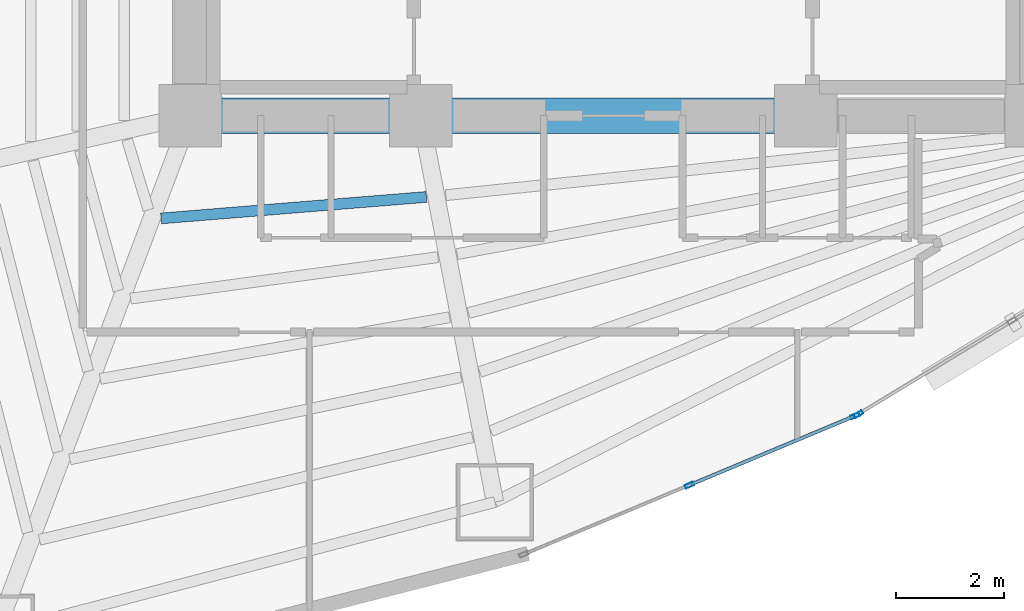
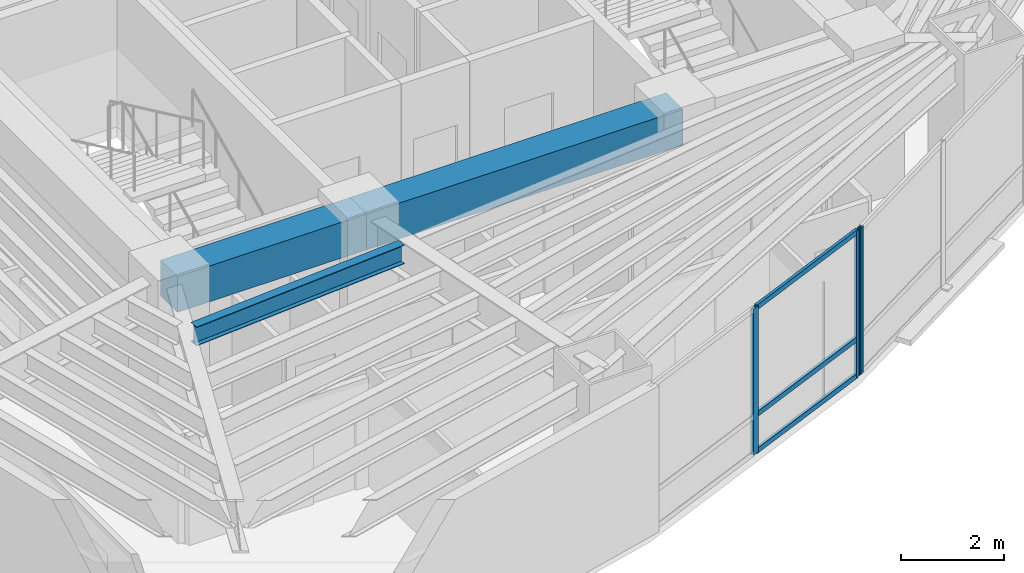
# One storey, part 4 of 17: 6 members, 3 beams, 2 elements without a shape of their own.
"""IFC4 building model written with IfcOpenShell, lengths in metres."""

from ifc_helpers import new_model, si_unit, direction, frame, origin, origin_2d, place, context, subcontext, project, spatial, rectangle, hollow_rectangle, i_section, extrude, material, layer, layer_set, material_profile, profile_set, type_object, element, aggregate, save


model = new_model("IFC4")

# Units and contexts
model_context = context("Model", 3, precision=1e-05, world=origin(), true_north=direction((0.0, 1.0)))
body_context = subcontext(model_context, "Body", "Model", "MODEL_VIEW")
ifc_project = project(units=[si_unit("LENGTHUNIT", "METRE"), si_unit("AREAUNIT", "SQUARE_METRE"), si_unit("VOLUMEUNIT", "CUBIC_METRE"), si_unit("PLANEANGLEUNIT", "RADIAN"), si_unit("MASSUNIT", "GRAM", prefix="KILO")], contexts=[model_context])

# Site, building, storey
site_placement = place(None, origin())
site = spatial("IfcSite", under=ifc_project, at=site_placement, CompositionType="ELEMENT")
building_placement = place(site_placement, origin())
building = spatial("IfcBuilding", under=site, at=building_placement, Name="Menara Vayukalpa", CompositionType="ELEMENT")
storey_placement = place(building_placement, frame((0.0, 0.0, 49.919921875)))
storey = spatial("IfcBuildingStorey", under=building, at=storey_placement, Name="L11", CompositionType="ELEMENT", Elevation=49.919921875)

# Beams
ifc_material_1 = material(Name="Concrete C60/75", Category="concrete")
ifc_material_profile_1 = material_profile(ifc_material_1, rectangle(XDim=0.64990234375, YDim=0.85009765625, at=origin_2d()), Name="RC 650x850")
ifc_profile_set_1 = profile_set([ifc_material_profile_1], Name="Concrete C60/75")
beam_type_1 = type_object("IfcBeamType", Name="BM-CB1", PredefinedType="BEAM", material=ifc_profile_set_1)
beam_1_placement = place(storey_placement, frame((17.800048828125, 17.199951171875, 3.045166015625), z_axis=(1.0, 0.0, 0.0), x_axis=(0.0, 1.0, 0.0)))
element("IfcBeam", 1, at=beam_1_placement, inside=storey, type_object=beam_type_1, Name="L11 Core Tie Beam CBR1", PredefinedType="BEAM", context=body_context, shape_type="SweptSolid", body=[
    extrude(rectangle(XDim=0.64990234375, YDim=0.85009765625, at=origin_2d()), origin(), (0.0, 0.0, 1.0), 4.25),
])
beam_2_placement = place(storey_placement, frame((22.050048828125, 17.199951171875, 3.045166015625), z_axis=(1.0, 0.0, 0.0), x_axis=(0.0, 1.0, 0.0)))
element("IfcBeam", 2, at=beam_2_placement, inside=storey, type_object=beam_type_1, Name="L11 Core Tie Beam CBR2", PredefinedType="BEAM", context=body_context, shape_type="SweptSolid", body=[
    extrude(rectangle(XDim=0.64990234375, YDim=0.85009765625, at=origin_2d()), origin(), (0.0, 0.0, 1.0), 7.099853515625),
])
ifc_material_2 = material(Name="Steel S355", Category="steel")
ifc_material_profile_2 = material_profile(ifc_material_2, i_section(OverallWidth=0.199951171875, OverallDepth=0.449951171875, WebThickness=0.009033203125, FlangeThickness=0.013916015625, at=origin_2d()), Name="WF 450x200x9x14")
ifc_profile_set_2 = profile_set([ifc_material_profile_2], Name="Steel S355")
beam_type_2 = type_object("IfcBeamType", Name="BM-SJ1", PredefinedType="JOIST", material=ifc_profile_set_2)
beam_3_placement = place(storey_placement, frame((17.262451171875, 15.306396484375, 3.2451171875), z_axis=(0.996745483939, 0.08061290373, 0.0), x_axis=(-0.08061290373, 0.996745483939, 0.0)))
element("IfcBeam", 3, at=beam_3_placement, inside=storey, type_object=beam_type_2, Name="L11 Secondary Floor Joist SJ07-1", PredefinedType="JOIST", context=body_context, shape_type="SweptSolid", body=[
    extrude(i_section(OverallWidth=0.199951171875, OverallDepth=0.449951171875, WebThickness=0.009033203125, FlangeThickness=0.013916015625, at=origin_2d()), origin(), (0.0, 0.0, 1.0), 4.9091796875),
])

# Curtain wall, members
ifc_material_3 = material(Name="Anodised Terracotta Aluminium Alloy 6063-T6", Category="masonry")
ifc_layer = layer(ifc_material_3, 0.1650390625)
ifc_layer_set = layer_set([ifc_layer], Name="Anodised Terracotta Aluminium Alloy 6063-T6")
curtain_wall_type = type_object("IfcCurtainWallType", Name="CW-CW2", PredefinedType="USERDEFINED", material=ifc_layer_set)
curtain_wall_1_placement = place(storey_placement, origin())
curtain_wall_1 = element("IfcCurtainWall", 4, at=curtain_wall_1_placement, inside=storey, type_object=curtain_wall_type, Name="L11 Low Rise Terracotta Ribbon Curtain Wall CW2 16", ObjectType="UNITISED", PredefinedType="USERDEFINED")
ifc_material_4 = material(Name="Anodised Terracotta Aluminium Alloy 6063-T6", Category="masonry")
ifc_material_profile_3 = material_profile(ifc_material_4, hollow_rectangle(XDim=0.070068359375, YDim=0.1650390625, WallThickness=0.00390625, at=origin_2d()), Name="ALU 70x165x4")
ifc_profile_set_3 = profile_set([ifc_material_profile_3], Name="Anodised Terracotta Aluminium Alloy 6063-T6")
member_type_1 = type_object("IfcMemberType", Name="CWM-CW2", PredefinedType="MULLION", material=ifc_profile_set_3)
member_1_placement = place(storey_placement, frame((27.0068359375, 10.388916015625, 0.0), z_axis=(0.0, 0.0, 1.0), x_axis=(-0.385895120445, 0.922542658101, 0.0)))
member_1 = element("IfcMember", 5, at=member_1_placement, type_object=member_type_1, Name="CW2 mullion 2", PredefinedType="MULLION", context=body_context, shape_type="SweptSolid", body=[
    extrude(hollow_rectangle(XDim=0.070068359375, YDim=0.1650390625, WallThickness=0.00390625, at=origin_2d()), origin(), (0.0, 0.0, 1.0), 3.469970703125),
])
member_2_placement = place(storey_placement, frame((30.062744140625, 11.6669921875, 0.0), z_axis=(0.0, 0.0, 1.0), x_axis=(-0.385895120445, 0.922542658101, 0.0)))
member_2 = element("IfcMember", 6, at=member_2_placement, type_object=member_type_1, Name="CW2 mullion 3", PredefinedType="MULLION", context=body_context, shape_type="SweptSolid", body=[
    extrude(hollow_rectangle(XDim=0.070068359375, YDim=0.1650390625, WallThickness=0.00390625, at=origin_2d()), origin(), (0.0, 0.0, 1.0), 3.469970703125),
])

# Curtain wall, member
curtain_wall_2_placement = place(storey_placement, origin())
curtain_wall_2 = element("IfcCurtainWall", 7, at=curtain_wall_2_placement, inside=storey, type_object=curtain_wall_type, Name="L11 Low Rise Terracotta Ribbon Curtain Wall CW2 17", ObjectType="UNITISED", PredefinedType="USERDEFINED")
member_3_placement = place(storey_placement, frame((30.125, 11.69873046875, 0.0), z_axis=(0.0, 0.0, 1.0), x_axis=(-0.519181964377, 0.854663727945, 0.0)))
member_3 = element("IfcMember", 8, at=member_3_placement, type_object=member_type_1, Name="CW2 mullion 1", PredefinedType="MULLION", context=body_context, shape_type="SweptSolid", body=[
    extrude(hollow_rectangle(XDim=0.070068359375, YDim=0.1650390625, WallThickness=0.00390625, at=origin_2d()), origin(), (0.0, 0.0, 1.0), 3.469970703125),
])
aggregate(curtain_wall_2, [member_3])

# Member
ifc_material_5 = material(Name="Anodised Terracotta Aluminium Alloy 6063-T6", Category="masonry")
ifc_material_profile_4 = material_profile(ifc_material_5, hollow_rectangle(XDim=0.06494140625, YDim=0.1201171875, WallThickness=0.00341796875, at=origin_2d()), Name="ALU 65x120x3.5")
ifc_profile_set_4 = profile_set([ifc_material_profile_4], Name="Anodised Terracotta Aluminium Alloy 6063-T6")
member_type_2 = type_object("IfcMemberType", Name="CWT-CW2", PredefinedType="USERDEFINED", material=ifc_profile_set_4)
member_4_placement = place(storey_placement, frame((27.0390625, 10.40234375, 0.032470703125), z_axis=(0.922552588381, 0.385871379699, 0.0), x_axis=(-0.385871379699, 0.922552588381, 0.0)))
member_4 = element("IfcMember", 9, at=member_4_placement, type_object=member_type_2, Name="CW2 transom 2.1", ObjectType="TRANSOM", PredefinedType="USERDEFINED", context=body_context, shape_type="SweptSolid", body=[
    extrude(hollow_rectangle(XDim=0.06494140625, YDim=0.1201171875, WallThickness=0.00341796875, at=origin_2d()), origin(), (0.0, 0.0, 1.0), 3.24267578125),
])

member_5_placement = place(storey_placement, frame((27.0390625, 10.40234375, 0.900146484375), z_axis=(0.922552588381, 0.385871379699, 0.0), x_axis=(-0.385871379699, 0.922552588381, 0.0)))
member_5 = element("IfcMember", 10, at=member_5_placement, type_object=member_type_2, Name="CW2 transom 2.2", ObjectType="TRANSOM", PredefinedType="USERDEFINED", context=body_context, shape_type="SweptSolid", body=[
    extrude(hollow_rectangle(XDim=0.06494140625, YDim=0.1201171875, WallThickness=0.00341796875, at=origin_2d()), origin(), (0.0, 0.0, 1.0), 3.24267578125),
])

member_6_placement = place(storey_placement, frame((27.0390625, 10.40234375, 3.4375), z_axis=(0.922552588381, 0.385871379699, 0.0), x_axis=(-0.385871379699, 0.922552588381, 0.0)))
member_6 = element("IfcMember", 11, at=member_6_placement, type_object=member_type_2, Name="CW2 transom 2.3", ObjectType="TRANSOM", PredefinedType="USERDEFINED", context=body_context, shape_type="SweptSolid", body=[
    extrude(hollow_rectangle(XDim=0.06494140625, YDim=0.1201171875, WallThickness=0.00341796875, at=origin_2d()), origin(), (0.0, 0.0, 1.0), 3.24267578125),
])

aggregate(curtain_wall_1, [member_1, member_2, member_4, member_5, member_6])

save(model, "model.ifc")
